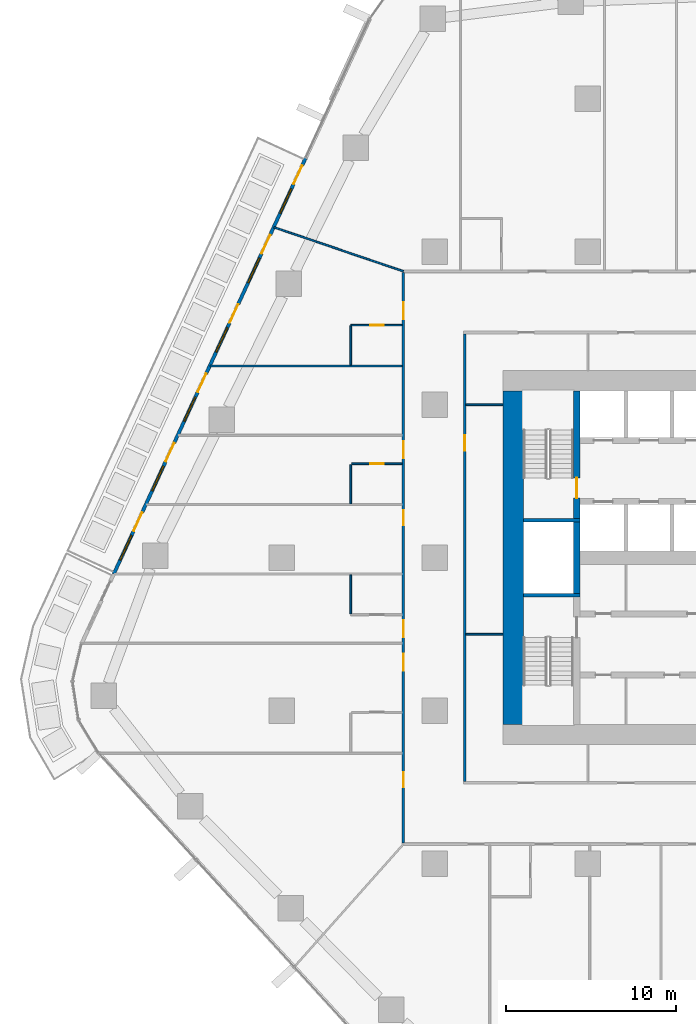
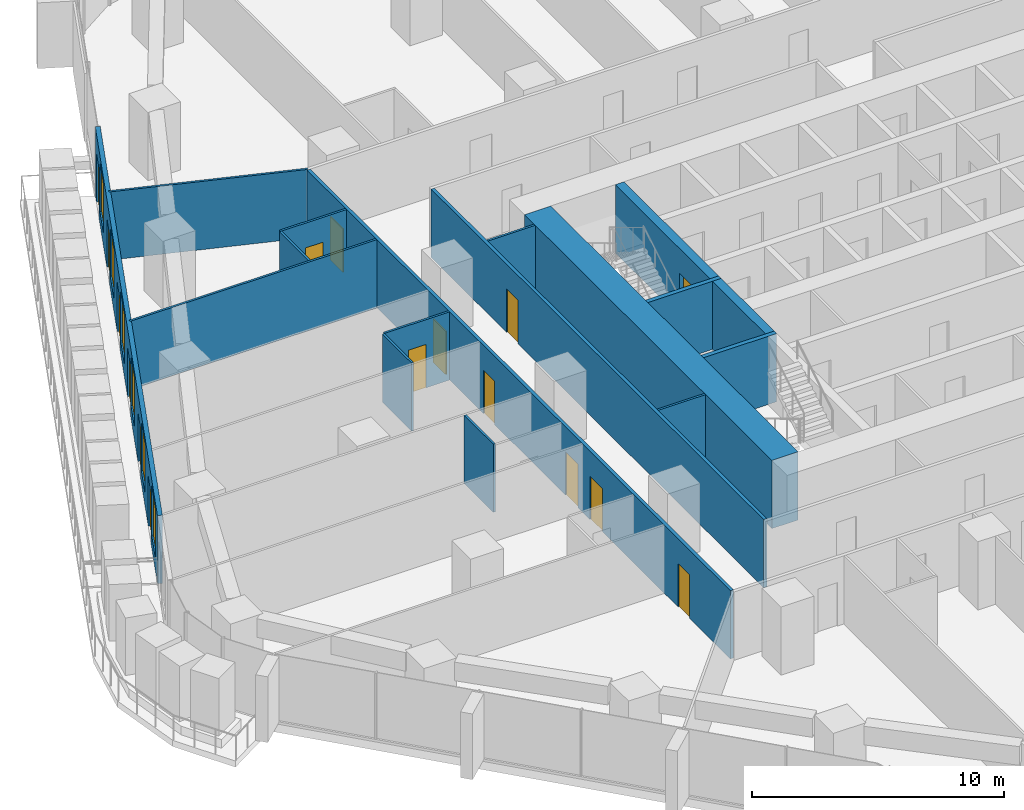
# One storey, part 15 of 27: 17 walls, 16 doors, 6 windows, 22 openings.
"""IFC4 building model written with IfcOpenShell, lengths in metres."""

from ifc_helpers import new_model, si_unit, direction, frame, frame_2d, origin, place, context, subcontext, project, spatial, rectangle, extrude, material, layer, layer_set, type_object, element, fill, save


model = new_model("IFC4")

# Units and contexts
model_context = context("Model", 3, precision=1e-05, world=origin(), true_north=direction((0.0, 1.0)))
body_context = subcontext(model_context, "Body", "Model", "MODEL_VIEW")
ifc_project = project(units=[si_unit("LENGTHUNIT", "METRE"), si_unit("AREAUNIT", "SQUARE_METRE"), si_unit("VOLUMEUNIT", "CUBIC_METRE"), si_unit("PLANEANGLEUNIT", "RADIAN"), si_unit("MASSUNIT", "GRAM", prefix="KILO")], contexts=[model_context])

# Site, building, storey
site_placement = place(None, origin())
site = spatial("IfcSite", under=ifc_project, at=site_placement, CompositionType="ELEMENT")
building_placement = place(site_placement, origin())
building = spatial("IfcBuilding", under=site, at=building_placement, Name="Dongbaek Canopy Tower", CompositionType="ELEMENT")
storey_placement = place(building_placement, frame((0.0, 0.0, 55.10009765625)))
storey = spatial("IfcBuildingStorey", under=building, at=storey_placement, Name="L09", CompositionType="ELEMENT", Elevation=55.10009765625)

# Wall
ifc_material_1 = material(Name="Concrete C60/75", Category="concrete")
ifc_layer_1 = layer(ifc_material_1, 1.199951171875)
ifc_layer_set_1 = layer_set([ifc_layer_1], Name="Core outer wall 1200 Concrete C60/75")
wall_type_1 = type_object("IfcWallType", Name="Core outer wall 1200 Concrete C60/75", PredefinedType="SHEAR", material=ifc_layer_set_1)
wall_1_placement = place(storey_placement, frame((-13.39990234375, -9.800048828125, 0.0), z_axis=(0.0, 0.0, 1.0), x_axis=(0.0, 1.0, 0.0)))
element("IfcWall", 1, at=wall_1_placement, inside=storey, type_object=wall_type_1, Name="Core wall", PredefinedType="SHEAR", context=body_context, shape_type="SweptSolid", body=[
    extrude(rectangle(XDim=19.60009765625, YDim=1.199951171875, at=frame_2d((9.800048828125, 0.0))), origin(), (0.0, 0.0, 1.0), 3.2998046875),
])

# Wall, opening, door
ifc_material_2 = material(Name="Gypsum board partition, steel stud, 2 x 15 mm fire board", Category="steel")
ifc_layer_2 = layer(ifc_material_2, 0.14990234375)
ifc_layer_set_2 = layer_set([ifc_layer_2], Name="Fire-rated partition 150 gypsum board")
wall_type_2 = type_object("IfcWallType", Name="Fire-rated partition 150 gypsum board", PredefinedType="PARTITIONING", material=ifc_layer_set_2)
wall_2_placement = place(storey_placement, frame((-16.25, 13.175048828125, 0.0), z_axis=(0.0, 0.0, 1.0), x_axis=(0.0, -1.0, 0.0)))
wall_2 = element("IfcWall", 2, at=wall_2_placement, inside=storey, type_object=wall_type_2, Name="Corridor partition", PredefinedType="PARTITIONING", context=body_context, shape_type="SweptSolid", body=[
    extrude(rectangle(XDim=26.35009765625, YDim=0.14990234375, at=frame_2d((13.175048828125, 0.0))), origin(), (0.0, 0.0, 1.0), 3.2998046875),
])
opening_1_placement = place(wall_2_placement, frame((5.97509765625, 0.0, 0.0)))
opening_1 = element("IfcOpeningElement", 3, at=opening_1_placement, cuts=wall_2, Name="Opening L09-D043", PredefinedType="OPENING", context=body_context, shape_type="SweptSolid", body=[
    extrude(rectangle(XDim=0.89990234375, YDim=2.10009765625, at=frame_2d((0.449951171875, 1.050048828125))), frame((0.0, 0.0849609375, 0.0), z_axis=(0.0, -1.0, 0.0), x_axis=(1.0, 0.0, 0.0)), (0.0, 0.0, 1.0), 0.169921875),
])
ifc_material_3 = material(Name="Timber veneered door leaf", Category="wood")
door_type_1 = type_object("IfcDoorType", Name="Room door 900 x 2100", OperationType="SINGLE_SWING_LEFT", PredefinedType="DOOR", material=ifc_material_3)
door_1_placement = place(opening_1_placement, origin())
door_1 = element("IfcDoor", 4, at=door_1_placement, inside=storey, type_object=door_type_1, Name="Door L09-D043", OperationType="SINGLE_SWING_RIGHT", OverallHeight=2.10009765625, OverallWidth=0.89990234375, PredefinedType="DOOR", context=body_context, shape_type="SweptSolid", body=[
    extrude(rectangle(XDim=0.89990234375, YDim=2.10009765625, at=frame_2d((0.449951171875, 1.050048828125))), frame((0.0, 0.02490234375, 0.0), z_axis=(0.0, -1.0, 0.0), x_axis=(1.0, 0.0, 0.0)), (0.0, 0.0, 1.0), 0.050048828125),
])
fill(opening_1, door_1)

# Wall, openings, doors
wall_3_placement = place(storey_placement, frame((-19.85009765625, -16.77490234375, 0.0), z_axis=(0.0, 0.0, 1.0), x_axis=(0.0, 1.0, 0.0)))
wall_3 = element("IfcWall", 5, at=wall_3_placement, inside=storey, type_object=wall_type_2, Name="Corridor partition", PredefinedType="PARTITIONING", context=body_context, shape_type="SweptSolid", body=[
    extrude(rectangle(XDim=33.5498046875, YDim=0.14990234375, at=frame_2d((16.77490234375, 0.0))), origin(), (0.0, 0.0, 1.0), 3.2998046875),
])
opening_2_placement = place(wall_3_placement, frame((12.08251953125, 0.0, 0.0)))
opening_2 = element("IfcOpeningElement", 6, at=opening_2_placement, cuts=wall_3, Name="Opening L09-D002", PredefinedType="OPENING", context=body_context, shape_type="SweptSolid", body=[
    extrude(rectangle(XDim=1.0, YDim=2.10009765625, at=frame_2d((0.5, 1.050048828125))), frame((0.0, 0.0849609375, 0.0), z_axis=(0.0, -1.0, 0.0), x_axis=(1.0, 0.0, 0.0)), (0.0, 0.0, 1.0), 0.169921875),
])
opening_3_placement = place(wall_3_placement, frame((10.128173828125, 0.0, 0.0)))
opening_3 = element("IfcOpeningElement", 7, at=opening_3_placement, cuts=wall_3, Name="Opening L09-D004", PredefinedType="OPENING", context=body_context, shape_type="SweptSolid", body=[
    extrude(rectangle(XDim=1.0, YDim=2.10009765625, at=frame_2d((0.5, 1.050048828125))), frame((0.0, 0.0849609375, 0.0), z_axis=(0.0, -1.0, 0.0), x_axis=(1.0, 0.0, 0.0)), (0.0, 0.0, 1.0), 0.169921875),
])
opening_4_placement = place(wall_3_placement, frame((3.25927734375, 0.0, 0.0)))
opening_4 = element("IfcOpeningElement", 8, at=opening_4_placement, cuts=wall_3, Name="Opening L09-D005", PredefinedType="OPENING", context=body_context, shape_type="SweptSolid", body=[
    extrude(rectangle(XDim=0.89990234375, YDim=2.10009765625, at=frame_2d((0.449951171875, 1.050048828125))), frame((0.0, 0.0849609375, 0.0), z_axis=(0.0, -1.0, 0.0), x_axis=(1.0, 0.0, 0.0)), (0.0, 0.0, 1.0), 0.169921875),
])
opening_5_placement = place(wall_3_placement, frame((30.798583984375, 0.0, 0.0)))
opening_5 = element("IfcOpeningElement", 9, at=opening_5_placement, cuts=wall_3, Name="Opening L09-D032", PredefinedType="OPENING", context=body_context, shape_type="SweptSolid", body=[
    extrude(rectangle(XDim=1.0, YDim=2.10009765625, at=frame_2d((0.5, 1.050048828125))), frame((0.0, 0.0849609375, 0.0), z_axis=(0.0, -1.0, 0.0), x_axis=(1.0, 0.0, 0.0)), (0.0, 0.0, 1.0), 0.169921875),
])
opening_6_placement = place(wall_3_placement, frame((22.638427734375, 0.0, 0.0)))
opening_6 = element("IfcOpeningElement", 10, at=opening_6_placement, cuts=wall_3, Name="Opening L09-D034", PredefinedType="OPENING", context=body_context, shape_type="SweptSolid", body=[
    extrude(rectangle(XDim=1.0, YDim=2.10009765625, at=frame_2d((0.5, 1.050048828125))), frame((0.0, 0.0849609375, 0.0), z_axis=(0.0, -1.0, 0.0), x_axis=(1.0, 0.0, 0.0)), (0.0, 0.0, 1.0), 0.169921875),
])
opening_7_placement = place(wall_3_placement, frame((18.681396484375, 0.0, 0.0)))
opening_7 = element("IfcOpeningElement", 11, at=opening_7_placement, cuts=wall_3, Name="Opening L09-D035", PredefinedType="OPENING", context=body_context, shape_type="SweptSolid", body=[
    extrude(rectangle(XDim=0.89990234375, YDim=2.10009765625, at=frame_2d((0.449951171875, 1.050048828125))), frame((0.0, 0.0849609375, 0.0), z_axis=(0.0, -1.0, 0.0), x_axis=(1.0, 0.0, 0.0)), (0.0, 0.0, 1.0), 0.169921875),
])
ifc_material_4 = material(Name="Timber veneered door leaf", Category="wood")
door_type_2 = type_object("IfcDoorType", Name="Guest room door 1000 x 2100", OperationType="SINGLE_SWING_LEFT", PredefinedType="DOOR", material=ifc_material_4)
door_2_placement = place(opening_2_placement, origin())
door_2 = element("IfcDoor", 12, at=door_2_placement, inside=storey, type_object=door_type_2, Name="Door L09-D002", OperationType="SINGLE_SWING_RIGHT", OverallHeight=2.10009765625, OverallWidth=1.0, PredefinedType="DOOR", context=body_context, shape_type="SweptSolid", body=[
    extrude(rectangle(XDim=1.0, YDim=2.10009765625, at=frame_2d((0.5, 1.050048828125))), frame((0.0, 0.02490234375, 0.0), z_axis=(0.0, -1.0, 0.0), x_axis=(1.0, 0.0, 0.0)), (0.0, 0.0, 1.0), 0.050048828125),
])
fill(opening_2, door_2)
door_3_placement = place(opening_3_placement, origin())
door_3 = element("IfcDoor", 13, at=door_3_placement, inside=storey, type_object=door_type_2, Name="Door L09-D004", OperationType="SINGLE_SWING_LEFT", OverallHeight=2.10009765625, OverallWidth=1.0, PredefinedType="DOOR", context=body_context, shape_type="SweptSolid", body=[
    extrude(rectangle(XDim=1.0, YDim=2.10009765625, at=frame_2d((0.5, 1.050048828125))), frame((0.0, 0.02490234375, 0.0), z_axis=(0.0, -1.0, 0.0), x_axis=(1.0, 0.0, 0.0)), (0.0, 0.0, 1.0), 0.050048828125),
])
fill(opening_3, door_3)
door_4_placement = place(opening_5_placement, origin())
door_4 = element("IfcDoor", 14, at=door_4_placement, inside=storey, type_object=door_type_2, Name="Door L09-D032", OperationType="SINGLE_SWING_LEFT", OverallHeight=2.10009765625, OverallWidth=1.0, PredefinedType="DOOR", context=body_context, shape_type="SweptSolid", body=[
    extrude(rectangle(XDim=1.0, YDim=2.10009765625, at=frame_2d((0.5, 1.050048828125))), frame((0.0, 0.02490234375, 0.0), z_axis=(0.0, -1.0, 0.0), x_axis=(1.0, 0.0, 0.0)), (0.0, 0.0, 1.0), 0.050048828125),
])
fill(opening_5, door_4)
door_5_placement = place(opening_6_placement, origin())
door_5 = element("IfcDoor", 15, at=door_5_placement, inside=storey, type_object=door_type_2, Name="Door L09-D034", OperationType="SINGLE_SWING_LEFT", OverallHeight=2.10009765625, OverallWidth=1.0, PredefinedType="DOOR", context=body_context, shape_type="SweptSolid", body=[
    extrude(rectangle(XDim=1.0, YDim=2.10009765625, at=frame_2d((0.5, 1.050048828125))), frame((0.0, 0.02490234375, 0.0), z_axis=(0.0, -1.0, 0.0), x_axis=(1.0, 0.0, 0.0)), (0.0, 0.0, 1.0), 0.050048828125),
])
fill(opening_6, door_5)
door_6_placement = place(opening_4_placement, origin())
door_6 = element("IfcDoor", 16, at=door_6_placement, inside=storey, type_object=door_type_1, Name="Door L09-D005", OperationType="SINGLE_SWING_RIGHT", OverallHeight=2.10009765625, OverallWidth=0.89990234375, PredefinedType="DOOR", context=body_context, shape_type="SweptSolid", body=[
    extrude(rectangle(XDim=0.89990234375, YDim=2.10009765625, at=frame_2d((0.449951171875, 1.050048828125))), frame((0.0, 0.02490234375, 0.0), z_axis=(0.0, -1.0, 0.0), x_axis=(1.0, 0.0, 0.0)), (0.0, 0.0, 1.0), 0.050048828125),
])
fill(opening_4, door_6)
door_7_placement = place(opening_7_placement, origin())
door_7 = element("IfcDoor", 17, at=door_7_placement, inside=storey, type_object=door_type_1, Name="Door L09-D035", OperationType="SINGLE_SWING_RIGHT", OverallHeight=2.10009765625, OverallWidth=0.89990234375, PredefinedType="DOOR", context=body_context, shape_type="SweptSolid", body=[
    extrude(rectangle(XDim=0.89990234375, YDim=2.10009765625, at=frame_2d((0.449951171875, 1.050048828125))), frame((0.0, 0.02490234375, 0.0), z_axis=(0.0, -1.0, 0.0), x_axis=(1.0, 0.0, 0.0)), (0.0, 0.0, 1.0), 0.050048828125),
])
fill(opening_7, door_7)

# Wall
ifc_material_5 = material(Name="Gypsum board partition, steel stud, 2 x 12.5 mm board", Category="steel")
ifc_layer_3 = layer(ifc_material_5, 0.10009765625)
ifc_layer_set_3 = layer_set([ifc_layer_3], Name="Partition 100 gypsum board")
wall_type_3 = type_object("IfcWallType", Name="Partition 100 gypsum board", PredefinedType="PARTITIONING", material=ifc_layer_set_3)
wall_4_placement = place(storey_placement, frame((-16.175048828125, -4.5, 0.0), z_axis=(0.0, 0.0, 1.0), x_axis=(1.0, 0.0, 0.0)))
element("IfcWall", 18, at=wall_4_placement, inside=storey, type_object=wall_type_3, Name="Partition", PredefinedType="PARTITIONING", context=body_context, shape_type="SweptSolid", body=[
    extrude(rectangle(XDim=2.175048828125, YDim=0.10009765625, at=frame_2d((1.08740234375, 0.0))), origin(), (0.0, 0.0, 1.0), 3.2998046875),
])

# Wall, opening, door
wall_5_placement = place(storey_placement, frame((-19.925048828125, 5.52294921875, 0.0), z_axis=(0.0, 0.0, 1.0), x_axis=(-1.0, 0.0, 0.0)))
wall_5 = element("IfcWall", 19, at=wall_5_placement, inside=storey, type_object=wall_type_3, Name="Partition", PredefinedType="PARTITIONING", context=body_context, shape_type="SweptSolid", body=[
    extrude(rectangle(XDim=2.974853515625, YDim=0.10009765625, at=frame_2d((1.4873046875, 0.0))), origin(), (0.0, 0.0, 1.0), 3.2998046875),
])
opening_8_placement = place(wall_5_placement, frame((1.074951171875, 0.0, 0.0)))
opening_8 = element("IfcOpeningElement", 20, at=opening_8_placement, cuts=wall_5, Name="Opening L09-D033", PredefinedType="OPENING", context=body_context, shape_type="SweptSolid", body=[
    extrude(rectangle(XDim=0.800048828125, YDim=2.10009765625, at=frame_2d((0.39990234375, 1.050048828125))), frame((0.0, 0.06005859375, 0.0), z_axis=(0.0, -1.0, 0.0), x_axis=(1.0, 0.0, 0.0)), (0.0, 0.0, 1.0), 0.1201171875),
])
ifc_material_6 = material(Name="Timber veneered door leaf", Category="wood")
door_type_3 = type_object("IfcDoorType", Name="En-suite door 800 x 2100", OperationType="SINGLE_SWING_LEFT", PredefinedType="DOOR", material=ifc_material_6)
door_8_placement = place(opening_8_placement, origin())
door_8 = element("IfcDoor", 21, at=door_8_placement, inside=storey, type_object=door_type_3, Name="Door L09-D033", OperationType="SINGLE_SWING_RIGHT", OverallHeight=2.10009765625, OverallWidth=0.800048828125, PredefinedType="DOOR", context=body_context, shape_type="SweptSolid", body=[
    extrude(rectangle(XDim=0.800048828125, YDim=2.10009765625, at=frame_2d((0.39990234375, 1.050048828125))), frame((0.0, 0.02490234375, 0.0), z_axis=(0.0, -1.0, 0.0), x_axis=(1.0, 0.0, 0.0)), (0.0, 0.0, 1.0), 0.050048828125),
])
fill(opening_8, door_8)

# Walls
wall_6_placement = place(storey_placement, frame((-16.175048828125, 9.0, 0.0), z_axis=(0.0, 0.0, 1.0), x_axis=(1.0, 0.0, 0.0)))
element("IfcWall", 22, at=wall_6_placement, inside=storey, type_object=wall_type_3, Name="Partition", PredefinedType="PARTITIONING", context=body_context, shape_type="SweptSolid", body=[
    extrude(rectangle(XDim=2.175048828125, YDim=0.10009765625, at=frame_2d((1.08740234375, 0.0))), origin(), (0.0, 0.0, 1.0), 3.2998046875),
])
wall_7_placement = place(storey_placement, frame((-31.224609375, 11.283935546875, 0.0), z_axis=(0.0, 0.0, 1.0), x_axis=(1.0, 0.0, 0.0)))
element("IfcWall", 23, at=wall_7_placement, inside=storey, type_object=wall_type_3, Name="Partition", PredefinedType="PARTITIONING", context=body_context, shape_type="SweptSolid", body=[
    extrude(rectangle(XDim=11.299560546875, YDim=0.10009765625, at=frame_2d((5.64990234375, 0.0))), origin(), (0.0, 0.0, 1.0), 3.2998046875),
])

# Wall, opening, door
wall_8_placement = place(storey_placement, frame((-19.925048828125, 13.68408203125, 0.0), z_axis=(0.0, 0.0, 1.0), x_axis=(-1.0, 0.0, 0.0)))
wall_8 = element("IfcWall", 24, at=wall_8_placement, inside=storey, type_object=wall_type_3, Name="Partition", PredefinedType="PARTITIONING", context=body_context, shape_type="SweptSolid", body=[
    extrude(rectangle(XDim=3.02490234375, YDim=0.10009765625, at=frame_2d((1.512451171875, 0.0))), origin(), (0.0, 0.0, 1.0), 3.2998046875),
])
opening_9_placement = place(wall_8_placement, frame((1.074951171875, 0.0, 0.0)))
opening_9 = element("IfcOpeningElement", 25, at=opening_9_placement, cuts=wall_8, Name="Opening L09-D031", PredefinedType="OPENING", context=body_context, shape_type="SweptSolid", body=[
    extrude(rectangle(XDim=0.800048828125, YDim=2.10009765625, at=frame_2d((0.39990234375, 1.050048828125))), frame((0.0, 0.06005859375, 0.0), z_axis=(0.0, -1.0, 0.0), x_axis=(1.0, 0.0, 0.0)), (0.0, 0.0, 1.0), 0.1201171875),
])
door_9_placement = place(opening_9_placement, origin())
door_9 = element("IfcDoor", 26, at=door_9_placement, inside=storey, type_object=door_type_3, Name="Door L09-D031", OperationType="SINGLE_SWING_RIGHT", OverallHeight=2.10009765625, OverallWidth=0.800048828125, PredefinedType="DOOR", context=body_context, shape_type="SweptSolid", body=[
    extrude(rectangle(XDim=0.800048828125, YDim=2.10009765625, at=frame_2d((0.39990234375, 1.050048828125))), frame((0.0, 0.02490234375, 0.0), z_axis=(0.0, -1.0, 0.0), x_axis=(1.0, 0.0, 0.0)), (0.0, 0.0, 1.0), 0.050048828125),
])
fill(opening_9, door_9)

# Walls
wall_9_placement = place(storey_placement, frame((-22.949951171875, -3.306884765625, 0.0), z_axis=(0.0, 0.0, 1.0), x_axis=(0.0, 1.0, 0.0)))
element("IfcWall", 27, at=wall_9_placement, inside=storey, type_object=wall_type_3, Name="Partition", PredefinedType="PARTITIONING", context=body_context, shape_type="SweptSolid", body=[
    extrude(rectangle(XDim=2.2998046875, YDim=0.10009765625, at=frame_2d((1.14990234375, 0.0))), origin(), (0.0, 0.0, 1.0), 3.2998046875),
])
wall_10_placement = place(storey_placement, frame((-22.949951171875, 3.17333984375, 0.0), z_axis=(0.0, 0.0, 1.0), x_axis=(0.0, 1.0, 0.0)))
element("IfcWall", 28, at=wall_10_placement, inside=storey, type_object=wall_type_3, Name="Partition", PredefinedType="PARTITIONING", context=body_context, shape_type="SweptSolid", body=[
    extrude(rectangle(XDim=2.300048828125, YDim=0.10009765625, at=frame_2d((1.14990234375, 0.0))), origin(), (0.0, 0.0, 1.0), 3.2998046875),
])
wall_11_placement = place(storey_placement, frame((-22.949951171875, 11.333984375, 0.0), z_axis=(0.0, 0.0, 1.0), x_axis=(0.0, 1.0, 0.0)))
element("IfcWall", 29, at=wall_11_placement, inside=storey, type_object=wall_type_3, Name="Partition", PredefinedType="PARTITIONING", context=body_context, shape_type="SweptSolid", body=[
    extrude(rectangle(XDim=2.299560546875, YDim=0.10009765625, at=frame_2d((1.14990234375, 0.0))), origin(), (0.0, 0.0, 1.0), 3.2998046875),
])
wall_12_placement = place(storey_placement, frame((-27.463623046875, 19.437744140625, 0.0), z_axis=(0.0, 0.0, 1.0), x_axis=(0.946811969778, -0.321787342643, 0.0)))
element("IfcWall", 30, at=wall_12_placement, inside=storey, type_object=wall_type_3, Name="Partition", PredefinedType="PARTITIONING", context=body_context, shape_type="SweptSolid", body=[
    extrude(rectangle(XDim=8.04150390625, YDim=0.10009765625, at=frame_2d((4.020751953125, 0.0))), origin(), (0.0, 0.0, 1.0), 3.2998046875),
])
ifc_material_7 = material(Name="Concrete C60/75", Category="concrete")
ifc_layer_4 = layer(ifc_material_7, 0.199951171875)
ifc_layer_set_4 = layer_set([ifc_layer_4], Name="Riser wall 200 Concrete C60/75")
wall_type_4 = type_object("IfcWallType", Name="Riser wall 200 Concrete C60/75", PredefinedType="SHEAR", material=ifc_layer_set_4)
for number, where, z_axis, x_axis, name in (
    (31, (-9.449951171875, 2.199951171875, 0.0), (0.0, 0.0, 1.0), (-1.0, 0.0, 0.0), "Riser wall"),
    (32, (-9.449951171875, -2.199951171875, 0.0), (0.0, 0.0, 1.0), (-1.0, 0.0, 0.0), "Riser wall"),
):
    element("IfcWall", number, at=place(storey_placement, frame(where, z_axis=z_axis, x_axis=x_axis)), inside=storey, type_object=wall_type_4, Name=name, PredefinedType="SHEAR", context=body_context, shape_type="SweptSolid", body=[
        extrude(rectangle(XDim=3.35009765625, YDim=0.199951171875, at=frame_2d((1.675048828125, 0.0))), origin(), (0.0, 0.0, 1.0), 3.2998046875),
    ])
ifc_material_8 = material(Name="Concrete C60/75", Category="concrete")
ifc_layer_5 = layer(ifc_material_8, 0.39990234375)
ifc_layer_set_5 = layer_set([ifc_layer_5], Name="Stair wall 400 Concrete C60/75")
wall_type_5 = type_object("IfcWallType", Name="Stair wall 400 Concrete C60/75", PredefinedType="SHEAR", material=ifc_layer_set_5)
wall_13_placement = place(storey_placement, frame((-9.64990234375, -2.10009765625, 0.0), z_axis=(0.0, 0.0, 1.0), x_axis=(0.0, 1.0, 0.0)))
element("IfcWall", 33, at=wall_13_placement, inside=storey, type_object=wall_type_5, Name="Stair wall", PredefinedType="SHEAR", context=body_context, shape_type="SweptSolid", body=[
    extrude(rectangle(XDim=4.2001953125, YDim=0.39990234375, at=frame_2d((2.10009765625, 0.0))), origin(), (0.0, 0.0, 1.0), 3.2998046875),
])

# Wall, opening, door
wall_14_placement = place(storey_placement, frame((-9.64990234375, 2.300048828125, 0.0), z_axis=(0.0, 0.0, 1.0), x_axis=(0.0, 1.0, 0.0)))
wall_14 = element("IfcWall", 34, at=wall_14_placement, inside=storey, type_object=wall_type_5, Name="Stair wall", PredefinedType="SHEAR", context=body_context, shape_type="SweptSolid", body=[
    extrude(rectangle(XDim=7.5, YDim=0.39990234375, at=frame_2d((3.75, 0.0))), origin(), (0.0, 0.0, 1.0), 3.2998046875),
])
opening_10_placement = place(wall_14_placement, frame((1.199951171875, 0.0, 0.0)))
opening_10 = element("IfcOpeningElement", 35, at=opening_10_placement, cuts=wall_14, Name="Opening L09-D069", PredefinedType="OPENING", context=body_context, shape_type="SweptSolid", body=[
    extrude(rectangle(XDim=1.199951171875, YDim=2.10009765625, at=frame_2d((0.60009765625, 1.050048828125))), frame((0.0, 0.2099609375, 0.0), z_axis=(0.0, -1.0, 0.0), x_axis=(1.0, 0.0, 0.0)), (0.0, 0.0, 1.0), 0.419921875),
])
ifc_material_9 = material(Name="Steel", Category="steel")
door_type_4 = type_object("IfcDoorType", Name="Stair door 1200 x 2100", OperationType="SINGLE_SWING_LEFT", PredefinedType="DOOR", material=ifc_material_9)
door_10_placement = place(opening_10_placement, origin())
door_10 = element("IfcDoor", 36, at=door_10_placement, inside=storey, type_object=door_type_4, Name="Stair C door", OperationType="SINGLE_SWING_RIGHT", OverallHeight=2.10009765625, OverallWidth=1.199951171875, PredefinedType="DOOR", context=body_context, shape_type="SweptSolid", body=[
    extrude(rectangle(XDim=1.199951171875, YDim=2.10009765625, at=frame_2d((0.60009765625, 1.050048828125))), frame((0.0, 0.02490234375, 0.0), z_axis=(0.0, -1.0, 0.0), x_axis=(1.0, 0.0, 0.0)), (0.0, 0.0, 1.0), 0.050048828125),
])
fill(opening_10, door_10)

# Wall, openings, doors, windows
ifc_material_10 = material(Name="Aluminium window wall", Category="aluminium")
ifc_layer_6 = layer(ifc_material_10, 0.199951171875)
ifc_layer_set_6 = layer_set([ifc_layer_6], Name="Window wall 200")
wall_type_6 = type_object("IfcWallType", Name="Window wall 200", PredefinedType="SOLIDWALL", material=ifc_layer_set_6)
wall_15_placement = place(storey_placement, frame((-25.60107421875, 23.524169921875, 0.0), z_axis=(0.0, 0.0, 1.0), x_axis=(-0.418809499218, -0.908074117771, 0.0)))
wall_15 = element("IfcWall", 37, at=wall_15_placement, inside=storey, type_object=wall_type_6, Name="Window wall L09 3", PredefinedType="SOLIDWALL", context=body_context, shape_type="SweptSolid", body=[
    extrude(rectangle(XDim=26.959228515625, YDim=0.199951171875, at=frame_2d((13.4794921875, 0.0))), origin(), (0.0, 0.0, 1.0), 3.2998046875),
])
opening_11_placement = place(wall_15_placement, frame((2.0, 0.0, 0.60009765625)))
opening_11 = element("IfcOpeningElement", 38, at=opening_11_placement, cuts=wall_15, Name="Opening W1", PredefinedType="OPENING", context=body_context, shape_type="SweptSolid", body=[
    extrude(rectangle(XDim=1.60009765625, YDim=2.39990234375, at=frame_2d((0.800048828125, 1.199951171875))), frame((0.0, 0.10986328125, 0.0), z_axis=(0.0, -1.0, 0.0), x_axis=(1.0, 0.0, 0.0)), (0.0, 0.0, 1.0), 0.219970703125),
])
opening_12_placement = place(wall_15_placement, frame((0.5, 0.0, 0.0)))
opening_12 = element("IfcOpeningElement", 39, at=opening_12_placement, cuts=wall_15, Name="Opening L09-B11", PredefinedType="OPENING", context=body_context, shape_type="SweptSolid", body=[
    extrude(rectangle(XDim=1.199951171875, YDim=2.39990234375, at=frame_2d((0.60009765625, 1.199951171875))), frame((0.0, 0.10986328125, 0.0), z_axis=(0.0, -1.0, 0.0), x_axis=(1.0, 0.0, 0.0)), (0.0, 0.0, 1.0), 0.219970703125),
])
opening_13_placement = place(wall_15_placement, frame((6.4931640625, 0.0, 0.60009765625)))
opening_13 = element("IfcOpeningElement", 40, at=opening_13_placement, cuts=wall_15, Name="Opening W1", PredefinedType="OPENING", context=body_context, shape_type="SweptSolid", body=[
    extrude(rectangle(XDim=1.60009765625, YDim=2.39990234375, at=frame_2d((0.800048828125, 1.199951171875))), frame((0.0, 0.10986328125, 0.0), z_axis=(0.0, -1.0, 0.0), x_axis=(1.0, 0.0, 0.0)), (0.0, 0.0, 1.0), 0.219970703125),
])
opening_14_placement = place(wall_15_placement, frame((4.9931640625, 0.0, 0.0)))
opening_14 = element("IfcOpeningElement", 41, at=opening_14_placement, cuts=wall_15, Name="Opening L09-B12", PredefinedType="OPENING", context=body_context, shape_type="SweptSolid", body=[
    extrude(rectangle(XDim=1.199951171875, YDim=2.39990234375, at=frame_2d((0.60009765625, 1.199951171875))), frame((0.0, 0.10986328125, 0.0), z_axis=(0.0, -1.0, 0.0), x_axis=(1.0, 0.0, 0.0)), (0.0, 0.0, 1.0), 0.219970703125),
])
opening_15_placement = place(wall_15_placement, frame((10.986572265625, 0.0, 0.60009765625)))
opening_15 = element("IfcOpeningElement", 42, at=opening_15_placement, cuts=wall_15, Name="Opening W1", PredefinedType="OPENING", context=body_context, shape_type="SweptSolid", body=[
    extrude(rectangle(XDim=1.60009765625, YDim=2.39990234375, at=frame_2d((0.800048828125, 1.199951171875))), frame((0.0, 0.10986328125, 0.0), z_axis=(0.0, -1.0, 0.0), x_axis=(1.0, 0.0, 0.0)), (0.0, 0.0, 1.0), 0.219970703125),
])
opening_16_placement = place(wall_15_placement, frame((9.486572265625, 0.0, 0.0)))
opening_16 = element("IfcOpeningElement", 43, at=opening_16_placement, cuts=wall_15, Name="Opening L09-B13", PredefinedType="OPENING", context=body_context, shape_type="SweptSolid", body=[
    extrude(rectangle(XDim=1.199951171875, YDim=2.39990234375, at=frame_2d((0.60009765625, 1.199951171875))), frame((0.0, 0.10986328125, 0.0), z_axis=(0.0, -1.0, 0.0), x_axis=(1.0, 0.0, 0.0)), (0.0, 0.0, 1.0), 0.219970703125),
])
opening_17_placement = place(wall_15_placement, frame((15.479736328125, 0.0, 0.60009765625)))
opening_17 = element("IfcOpeningElement", 44, at=opening_17_placement, cuts=wall_15, Name="Opening W1", PredefinedType="OPENING", context=body_context, shape_type="SweptSolid", body=[
    extrude(rectangle(XDim=1.60009765625, YDim=2.39990234375, at=frame_2d((0.800048828125, 1.199951171875))), frame((0.0, 0.10986328125, 0.0), z_axis=(0.0, -1.0, 0.0), x_axis=(1.0, 0.0, 0.0)), (0.0, 0.0, 1.0), 0.219970703125),
])
opening_18_placement = place(wall_15_placement, frame((13.979736328125, 0.0, 0.0)))
opening_18 = element("IfcOpeningElement", 45, at=opening_18_placement, cuts=wall_15, Name="Opening L09-B14", PredefinedType="OPENING", context=body_context, shape_type="SweptSolid", body=[
    extrude(rectangle(XDim=1.199951171875, YDim=2.39990234375, at=frame_2d((0.60009765625, 1.199951171875))), frame((0.0, 0.10986328125, 0.0), z_axis=(0.0, -1.0, 0.0), x_axis=(1.0, 0.0, 0.0)), (0.0, 0.0, 1.0), 0.219970703125),
])
opening_19_placement = place(wall_15_placement, frame((19.972900390625, 0.0, 0.60009765625)))
opening_19 = element("IfcOpeningElement", 46, at=opening_19_placement, cuts=wall_15, Name="Opening W1", PredefinedType="OPENING", context=body_context, shape_type="SweptSolid", body=[
    extrude(rectangle(XDim=1.60009765625, YDim=2.39990234375, at=frame_2d((0.800048828125, 1.199951171875))), frame((0.0, 0.10986328125, 0.0), z_axis=(0.0, -1.0, 0.0), x_axis=(1.0, 0.0, 0.0)), (0.0, 0.0, 1.0), 0.219970703125),
])
opening_20_placement = place(wall_15_placement, frame((18.472900390625, 0.0, 0.0)))
opening_20 = element("IfcOpeningElement", 47, at=opening_20_placement, cuts=wall_15, Name="Opening L09-B15", PredefinedType="OPENING", context=body_context, shape_type="SweptSolid", body=[
    extrude(rectangle(XDim=1.199951171875, YDim=2.39990234375, at=frame_2d((0.60009765625, 1.199951171875))), frame((0.0, 0.10986328125, 0.0), z_axis=(0.0, -1.0, 0.0), x_axis=(1.0, 0.0, 0.0)), (0.0, 0.0, 1.0), 0.219970703125),
])
opening_21_placement = place(wall_15_placement, frame((24.466064453125, 0.0, 0.60009765625)))
opening_21 = element("IfcOpeningElement", 48, at=opening_21_placement, cuts=wall_15, Name="Opening W1", PredefinedType="OPENING", context=body_context, shape_type="SweptSolid", body=[
    extrude(rectangle(XDim=1.60009765625, YDim=2.39990234375, at=frame_2d((0.800048828125, 1.199951171875))), frame((0.0, 0.10986328125, 0.0), z_axis=(0.0, -1.0, 0.0), x_axis=(1.0, 0.0, 0.0)), (0.0, 0.0, 1.0), 0.219970703125),
])
opening_22_placement = place(wall_15_placement, frame((22.966064453125, 0.0, 0.0)))
opening_22 = element("IfcOpeningElement", 49, at=opening_22_placement, cuts=wall_15, Name="Opening L09-B16", PredefinedType="OPENING", context=body_context, shape_type="SweptSolid", body=[
    extrude(rectangle(XDim=1.199951171875, YDim=2.39990234375, at=frame_2d((0.60009765625, 1.199951171875))), frame((0.0, 0.10986328125, 0.0), z_axis=(0.0, -1.0, 0.0), x_axis=(1.0, 0.0, 0.0)), (0.0, 0.0, 1.0), 0.219970703125),
])
ifc_material_11 = material(Name="Clear glazing in aluminium frame", Category="aluminium")
door_type_5 = type_object("IfcDoorType", Name="Balcony door BD1 1200 x 2400", OperationType="SLIDING_TO_LEFT", PredefinedType="DOOR", material=ifc_material_11)
door_11_placement = place(opening_12_placement, origin())
door_11 = element("IfcDoor", 50, at=door_11_placement, inside=storey, type_object=door_type_5, Name="Balcony door L09-B11", OperationType="SLIDING_TO_LEFT", OverallHeight=2.39990234375, OverallWidth=1.199951171875, PredefinedType="DOOR", context=body_context, shape_type="SweptSolid", body=[
    extrude(rectangle(XDim=1.199951171875, YDim=2.39990234375, at=frame_2d((0.60009765625, 1.199951171875))), frame((0.0, 0.02490234375, 0.0), z_axis=(0.0, -1.0, 0.0), x_axis=(1.0, 0.0, 0.0)), (0.0, 0.0, 1.0), 0.050048828125),
])
fill(opening_12, door_11)
door_12_placement = place(opening_14_placement, origin())
door_12 = element("IfcDoor", 51, at=door_12_placement, inside=storey, type_object=door_type_5, Name="Balcony door L09-B12", OperationType="SLIDING_TO_LEFT", OverallHeight=2.39990234375, OverallWidth=1.199951171875, PredefinedType="DOOR", context=body_context, shape_type="SweptSolid", body=[
    extrude(rectangle(XDim=1.199951171875, YDim=2.39990234375, at=frame_2d((0.60009765625, 1.199951171875))), frame((0.0, 0.02490234375, 0.0), z_axis=(0.0, -1.0, 0.0), x_axis=(1.0, 0.0, 0.0)), (0.0, 0.0, 1.0), 0.050048828125),
])
fill(opening_14, door_12)
door_13_placement = place(opening_16_placement, origin())
door_13 = element("IfcDoor", 52, at=door_13_placement, inside=storey, type_object=door_type_5, Name="Balcony door L09-B13", OperationType="SLIDING_TO_LEFT", OverallHeight=2.39990234375, OverallWidth=1.199951171875, PredefinedType="DOOR", context=body_context, shape_type="SweptSolid", body=[
    extrude(rectangle(XDim=1.199951171875, YDim=2.39990234375, at=frame_2d((0.60009765625, 1.199951171875))), frame((0.0, 0.02490234375, 0.0), z_axis=(0.0, -1.0, 0.0), x_axis=(1.0, 0.0, 0.0)), (0.0, 0.0, 1.0), 0.050048828125),
])
fill(opening_16, door_13)
door_14_placement = place(opening_18_placement, origin())
door_14 = element("IfcDoor", 53, at=door_14_placement, inside=storey, type_object=door_type_5, Name="Balcony door L09-B14", OperationType="SLIDING_TO_LEFT", OverallHeight=2.39990234375, OverallWidth=1.199951171875, PredefinedType="DOOR", context=body_context, shape_type="SweptSolid", body=[
    extrude(rectangle(XDim=1.199951171875, YDim=2.39990234375, at=frame_2d((0.60009765625, 1.199951171875))), frame((0.0, 0.02490234375, 0.0), z_axis=(0.0, -1.0, 0.0), x_axis=(1.0, 0.0, 0.0)), (0.0, 0.0, 1.0), 0.050048828125),
])
fill(opening_18, door_14)
door_15_placement = place(opening_20_placement, origin())
door_15 = element("IfcDoor", 54, at=door_15_placement, inside=storey, type_object=door_type_5, Name="Balcony door L09-B15", OperationType="SLIDING_TO_LEFT", OverallHeight=2.39990234375, OverallWidth=1.199951171875, PredefinedType="DOOR", context=body_context, shape_type="SweptSolid", body=[
    extrude(rectangle(XDim=1.199951171875, YDim=2.39990234375, at=frame_2d((0.60009765625, 1.199951171875))), frame((0.0, 0.02490234375, 0.0), z_axis=(0.0, -1.0, 0.0), x_axis=(1.0, 0.0, 0.0)), (0.0, 0.0, 1.0), 0.050048828125),
])
fill(opening_20, door_15)
door_16_placement = place(opening_22_placement, origin())
door_16 = element("IfcDoor", 55, at=door_16_placement, inside=storey, type_object=door_type_5, Name="Balcony door L09-B16", OperationType="SLIDING_TO_LEFT", OverallHeight=2.39990234375, OverallWidth=1.199951171875, PredefinedType="DOOR", context=body_context, shape_type="SweptSolid", body=[
    extrude(rectangle(XDim=1.199951171875, YDim=2.39990234375, at=frame_2d((0.60009765625, 1.199951171875))), frame((0.0, 0.02490234375, 0.0), z_axis=(0.0, -1.0, 0.0), x_axis=(1.0, 0.0, 0.0)), (0.0, 0.0, 1.0), 0.050048828125),
])
fill(opening_22, door_16)
ifc_material_12 = material(Name="Clear glazing in aluminium frame", Category="aluminium")
window_type = type_object("IfcWindowType", Name="Window W1 1600 x 2400", PartitioningType="SINGLE_PANEL", PredefinedType="WINDOW", material=ifc_material_12)
window_1_placement = place(opening_11_placement, origin())
window_1 = element("IfcWindow", 56, at=window_1_placement, inside=storey, type_object=window_type, Name="Window L09 3.1", OverallHeight=2.39990234375, OverallWidth=1.60009765625, PartitioningType="SINGLE_PANEL", PredefinedType="WINDOW", context=body_context, shape_type="SweptSolid", body=[
    extrude(rectangle(XDim=1.60009765625, YDim=2.39990234375, at=frame_2d((0.800048828125, 1.199951171875))), frame((0.0, 0.030029296875, 0.0), z_axis=(0.0, -1.0, 0.0), x_axis=(1.0, 0.0, 0.0)), (0.0, 0.0, 1.0), 0.06005859375),
])
fill(opening_11, window_1)
window_2_placement = place(opening_13_placement, origin())
window_2 = element("IfcWindow", 57, at=window_2_placement, inside=storey, type_object=window_type, Name="Window L09 3.2", OverallHeight=2.39990234375, OverallWidth=1.60009765625, PartitioningType="SINGLE_PANEL", PredefinedType="WINDOW", context=body_context, shape_type="SweptSolid", body=[
    extrude(rectangle(XDim=1.60009765625, YDim=2.39990234375, at=frame_2d((0.800048828125, 1.199951171875))), frame((0.0, 0.030029296875, 0.0), z_axis=(0.0, -1.0, 0.0), x_axis=(1.0, 0.0, 0.0)), (0.0, 0.0, 1.0), 0.06005859375),
])
fill(opening_13, window_2)
window_3_placement = place(opening_15_placement, origin())
window_3 = element("IfcWindow", 58, at=window_3_placement, inside=storey, type_object=window_type, Name="Window L09 3.3", OverallHeight=2.39990234375, OverallWidth=1.60009765625, PartitioningType="SINGLE_PANEL", PredefinedType="WINDOW", context=body_context, shape_type="SweptSolid", body=[
    extrude(rectangle(XDim=1.60009765625, YDim=2.39990234375, at=frame_2d((0.800048828125, 1.199951171875))), frame((0.0, 0.030029296875, 0.0), z_axis=(0.0, -1.0, 0.0), x_axis=(1.0, 0.0, 0.0)), (0.0, 0.0, 1.0), 0.06005859375),
])
fill(opening_15, window_3)
window_4_placement = place(opening_17_placement, origin())
window_4 = element("IfcWindow", 59, at=window_4_placement, inside=storey, type_object=window_type, Name="Window L09 3.4", OverallHeight=2.39990234375, OverallWidth=1.60009765625, PartitioningType="SINGLE_PANEL", PredefinedType="WINDOW", context=body_context, shape_type="SweptSolid", body=[
    extrude(rectangle(XDim=1.60009765625, YDim=2.39990234375, at=frame_2d((0.800048828125, 1.199951171875))), frame((0.0, 0.030029296875, 0.0), z_axis=(0.0, -1.0, 0.0), x_axis=(1.0, 0.0, 0.0)), (0.0, 0.0, 1.0), 0.06005859375),
])
fill(opening_17, window_4)
window_5_placement = place(opening_19_placement, origin())
window_5 = element("IfcWindow", 60, at=window_5_placement, inside=storey, type_object=window_type, Name="Window L09 3.5", OverallHeight=2.39990234375, OverallWidth=1.60009765625, PartitioningType="SINGLE_PANEL", PredefinedType="WINDOW", context=body_context, shape_type="SweptSolid", body=[
    extrude(rectangle(XDim=1.60009765625, YDim=2.39990234375, at=frame_2d((0.800048828125, 1.199951171875))), frame((0.0, 0.030029296875, 0.0), z_axis=(0.0, -1.0, 0.0), x_axis=(1.0, 0.0, 0.0)), (0.0, 0.0, 1.0), 0.06005859375),
])
fill(opening_19, window_5)
window_6_placement = place(opening_21_placement, origin())
window_6 = element("IfcWindow", 61, at=window_6_placement, inside=storey, type_object=window_type, Name="Window L09 3.6", OverallHeight=2.39990234375, OverallWidth=1.60009765625, PartitioningType="SINGLE_PANEL", PredefinedType="WINDOW", context=body_context, shape_type="SweptSolid", body=[
    extrude(rectangle(XDim=1.60009765625, YDim=2.39990234375, at=frame_2d((0.800048828125, 1.199951171875))), frame((0.0, 0.030029296875, 0.0), z_axis=(0.0, -1.0, 0.0), x_axis=(1.0, 0.0, 0.0)), (0.0, 0.0, 1.0), 0.06005859375),
])
fill(opening_21, window_6)

save(model, "model.ifc")
